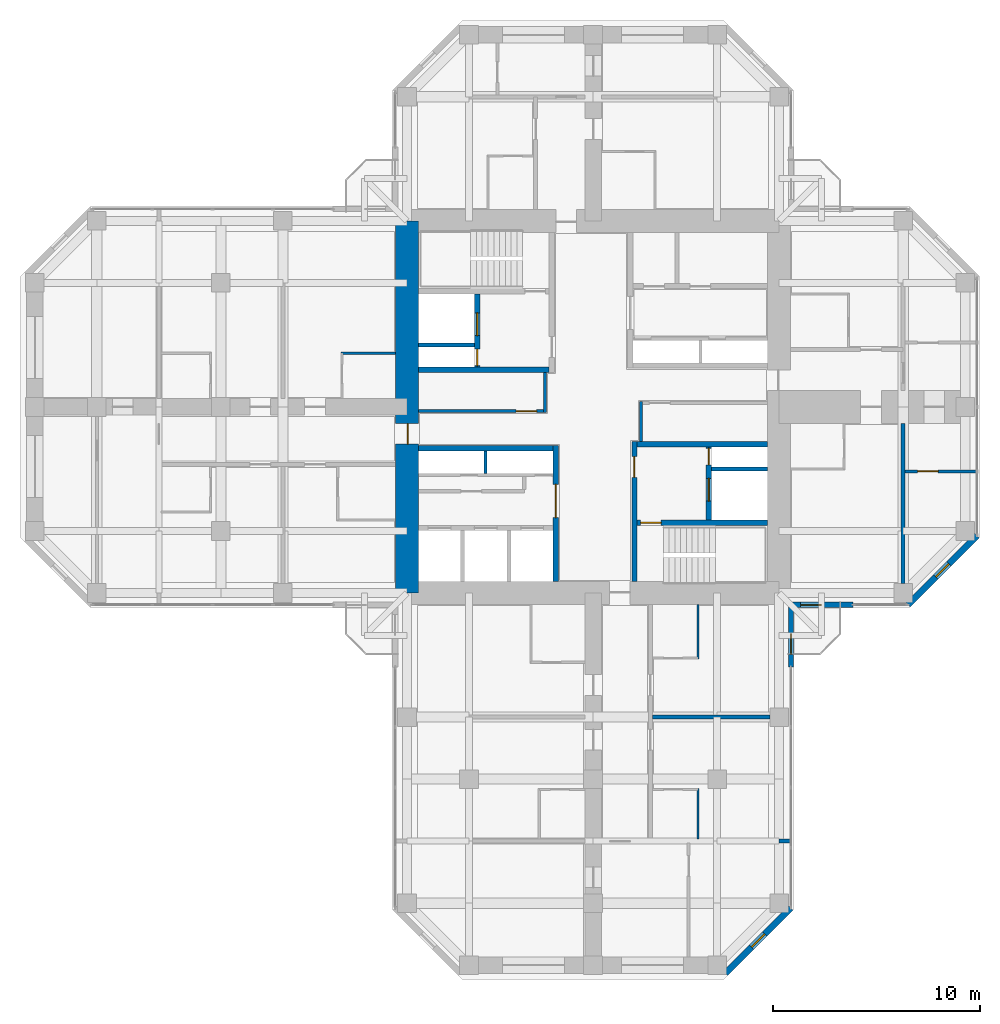
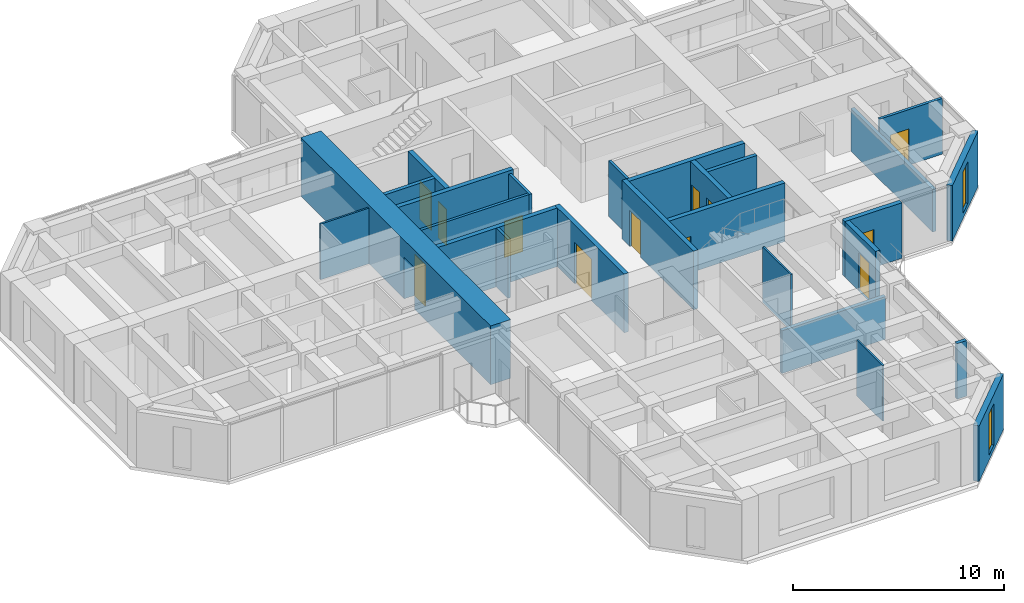
# One storey, part 10 of 14: 26 walls, 12 doors, 2 windows, 14 openings.
"""IFC4 building model written with IfcOpenShell, lengths in metres."""

from ifc_helpers import new_model, si_unit, direction, frame, frame_2d, origin, place, context, subcontext, project, spatial, rectangle, hollow_rectangle, extrude, material, layer, layer_set, constituent, constituent_set, type_object, element, fill, save


model = new_model("IFC4")

# Units and contexts
model_context = context("Model", 3, precision=1e-05, world=origin(), true_north=direction((0.0, 1.0)))
body_context = subcontext(model_context, "Body", "Model", "MODEL_VIEW")
ifc_project = project(units=[si_unit("LENGTHUNIT", "METRE"), si_unit("AREAUNIT", "SQUARE_METRE"), si_unit("VOLUMEUNIT", "CUBIC_METRE"), si_unit("PLANEANGLEUNIT", "RADIAN"), si_unit("MASSUNIT", "GRAM", prefix="KILO")], contexts=[model_context])

# Site, building, storey
site_placement = place(None, origin())
site = spatial("IfcSite", under=ifc_project, at=site_placement, CompositionType="ELEMENT")
building_placement = place(site_placement, origin())
building = spatial("IfcBuilding", under=site, at=building_placement, Name="Torre Cruceta", CompositionType="ELEMENT")
storey_placement = place(building_placement, frame((0.0, 0.0, 176.300048828125)))
storey = spatial("IfcBuildingStorey", under=building, at=storey_placement, Name="L43", CompositionType="ELEMENT", Elevation=176.300048828125)

# Walls
ifc_material_1 = material(Name="Water-resistant plasterboard on steel studs", Category="steel")
ifc_layer_1 = layer(ifc_material_1, 0.10009765625)
ifc_layer_set_1 = layer_set([ifc_layer_1], Name="Water-resistant plasterboard on steel studs")
wall_type_1 = type_object("IfcWallType", Name="BATHROOM WALL 100", PredefinedType="PARTITIONING", material=ifc_layer_set_1)
wall_1_placement = place(storey_placement, frame((5.074951171875, -9.550048828125, 0.0), z_axis=(0.0, 0.0, 1.0), x_axis=(0.0, -1.0, 0.0)))
element("IfcWall", 1, at=wall_1_placement, inside=storey, type_object=wall_type_1, Name="PT4 L43-S-U1LBB", PredefinedType="PARTITIONING", context=body_context, shape_type="SweptSolid", body=[
    extrude(rectangle(XDim=2.64990234375, YDim=0.10009765625, at=frame_2d((1.324951171875, 0.0))), origin(), (0.0, 0.0, 1.0), 3.219970703125),
])
wall_2_placement = place(storey_placement, frame((5.074951171875, -18.449951171875, 0.0), z_axis=(0.0, 0.0, 1.0), x_axis=(0.0, -1.0, 0.0)))
element("IfcWall", 2, at=wall_2_placement, inside=storey, type_object=wall_type_1, Name="PT4 L43-S-U2LBB", PredefinedType="PARTITIONING", context=body_context, shape_type="SweptSolid", body=[
    extrude(rectangle(XDim=2.449951171875, YDim=0.10009765625, at=frame_2d((1.22509765625, 0.0))), origin(), (0.0, 0.0, 1.0), 3.219970703125),
])
wall_3_placement = place(storey_placement, frame((-9.550048828125, 2.60009765625, 0.0), z_axis=(0.0, 0.0, 1.0), x_axis=(-1.0, 0.0, 0.0)))
element("IfcWall", 3, at=wall_3_placement, inside=storey, type_object=wall_type_1, Name="PT4 L43-W-U1RBB", PredefinedType="PARTITIONING", context=body_context, shape_type="SweptSolid", body=[
    extrude(rectangle(XDim=2.64990234375, YDim=0.10009765625, at=frame_2d((1.324951171875, 0.0))), origin(), (0.0, 0.0, 1.0), 3.219970703125),
])
ifc_material_2 = material(Name="Concrete G60 (fck 60 MPa)", Category="concrete")
ifc_layer_2 = layer(ifc_material_2, 0.25)
ifc_layer_set_2 = layer_set([ifc_layer_2], Name="Concrete G60 (fck 60 MPa)")
wall_type_2 = type_object("IfcWallType", Name="CORE INNER WALL 250 G60", PredefinedType="SHEAR", material=ifc_layer_set_2)
wall_4_placement = place(storey_placement, frame((-2.125, 1.800048828125, 0.0), z_axis=(0.0, 0.0, 1.0), x_axis=(-1.0, 0.0, 0.0)))
element("IfcWall", 4, at=wall_4_placement, inside=storey, type_object=wall_type_2, Name="CW4 L43 NW-CV", PredefinedType="SHEAR", context=body_context, shape_type="SweptSolid", body=[
    extrude(rectangle(XDim=6.324951171875, YDim=0.25, at=frame_2d((3.16259765625, 0.0))), origin(), (0.0, 0.0, 1.0), 3.39990234375),
])

# Wall, openings, doors
wall_5_placement = place(storey_placement, frame((-5.60009765625, 1.925048828125, 0.0), z_axis=(0.0, 0.0, 1.0), x_axis=(0.0, 1.0, 0.0)))
wall_5 = element("IfcWall", 5, at=wall_5_placement, inside=storey, type_object=wall_type_2, Name="CW4 L43 NW-FU", PredefinedType="SHEAR", context=body_context, shape_type="SweptSolid", body=[
    extrude(rectangle(XDim=3.550048828125, YDim=0.25, at=frame_2d((1.77490234375, 0.0))), origin(), (0.0, 0.0, 1.0), 3.39990234375),
])
opening_1_placement = place(wall_5_placement, frame((1.52490234375, 0.0, 0.0)))
opening_1 = element("IfcOpeningElement", 6, at=opening_1_placement, cuts=wall_5, Name="Opening LD1", PredefinedType="OPENING", context=body_context, shape_type="SweptSolid", body=[
    extrude(rectangle(XDim=1.10009765625, YDim=2.199951171875, at=frame_2d((0.550048828125, 1.10009765625))), frame((0.0, 0.135009765625, 0.0), z_axis=(0.0, -1.0, 0.0), x_axis=(1.0, 0.0, 0.0)), (0.0, 0.0, 1.0), 0.27001953125),
])
opening_2_placement = place(wall_5_placement, frame((0.074951171875, 0.0, 0.0)))
opening_2 = element("IfcOpeningElement", 7, at=opening_2_placement, cuts=wall_5, Name="Opening D5", PredefinedType="OPENING", context=body_context, shape_type="SweptSolid", body=[
    extrude(rectangle(XDim=0.800048828125, YDim=2.10009765625, at=frame_2d((0.39990234375, 1.050048828125))), frame((0.0, 0.135009765625, 0.0), z_axis=(0.0, -1.0, 0.0), x_axis=(1.0, 0.0, 0.0)), (0.0, 0.0, 1.0), 0.27001953125),
])
ifc_material_3 = material(Name="Stainless steel 1.4401", Category="steel")
door_type_1 = type_object("IfcDoorType", Name="LIFT LANDING DOOR 1100X2200", OperationType="DOUBLE_DOOR_SLIDING", PredefinedType="DOOR", material=ifc_material_3)
door_1_placement = place(opening_1_placement, origin())
door_1 = element("IfcDoor", 8, at=door_1_placement, inside=storey, type_object=door_type_1, Name="Lift landing door FL1", OperationType="DOUBLE_DOOR_SLIDING", OverallHeight=2.199951171875, OverallWidth=1.10009765625, PredefinedType="DOOR", context=body_context, shape_type="SweptSolid", body=[
    extrude(rectangle(XDim=1.10009765625, YDim=2.199951171875, at=frame_2d((0.550048828125, 1.10009765625))), frame((0.0, 0.02490234375, 0.0), z_axis=(0.0, -1.0, 0.0), x_axis=(1.0, 0.0, 0.0)), (0.0, 0.0, 1.0), 0.050048828125),
])
fill(opening_1, door_1)
ifc_material_4 = material(Name="Steel DX51D", Category="steel")
ifc_constituent_1 = constituent(ifc_material_4, Name="Leaf and frame")
ifc_material_5 = material(Name="Polyester powder coating", Category="paint")
ifc_constituent_2 = constituent(ifc_material_5, Name="Finish")
ifc_constituent_set_1 = constituent_set(constituents=[ifc_constituent_1, ifc_constituent_2], Name="Steel fire door")
door_type_2 = type_object("IfcDoorType", Name="RISER ACCESS DOOR 800X2100", OperationType="SINGLE_SWING_LEFT", PredefinedType="DOOR", material=ifc_constituent_set_1)
door_2_placement = place(opening_2_placement, origin())
door_2 = element("IfcDoor", 9, at=door_2_placement, inside=storey, type_object=door_type_2, Name="D5 L43 NW-RISER", OperationType="SINGLE_SWING_LEFT", OverallHeight=2.10009765625, OverallWidth=0.800048828125, PredefinedType="DOOR", context=body_context, shape_type="SweptSolid", body=[
    extrude(rectangle(XDim=0.800048828125, YDim=2.10009765625, at=frame_2d((0.39990234375, 1.050048828125))), frame((0.0, 0.02490234375, 0.0), z_axis=(0.0, -1.0, 0.0), x_axis=(1.0, 0.0, 0.0)), (0.0, 0.0, 1.0), 0.050048828125),
])
fill(opening_2, door_2)

# Wall, opening, door
wall_6_placement = place(storey_placement, frame((-1.800048828125, -1.875, 0.0), z_axis=(0.0, 0.0, 1.0), x_axis=(0.0, -1.0, 0.0)))
wall_6 = element("IfcWall", 10, at=wall_6_placement, inside=storey, type_object=wall_type_2, Name="CW4 L43 SW-CU", PredefinedType="SHEAR", context=body_context, shape_type="SweptSolid", body=[
    extrude(rectangle(XDim=6.574951171875, YDim=0.25, at=frame_2d((3.28759765625, 0.0))), origin(), (0.0, 0.0, 1.0), 3.39990234375),
])
opening_3_placement = place(wall_6_placement, frame((1.875, 0.0, 0.0)))
opening_3 = element("IfcOpeningElement", 11, at=opening_3_placement, cuts=wall_6, Name="Opening D8", PredefinedType="OPENING", context=body_context, shape_type="SweptSolid", body=[
    extrude(rectangle(XDim=1.60009765625, YDim=2.39990234375, at=frame_2d((0.800048828125, 1.199951171875))), frame((0.0, 0.135009765625, 0.0), z_axis=(0.0, -1.0, 0.0), x_axis=(1.0, 0.0, 0.0)), (0.0, 0.0, 1.0), 0.27001953125),
])
ifc_material_6 = material(Name="Steel DX51D", Category="steel")
ifc_constituent_3 = constituent(ifc_material_6, Name="Leaf and frame")
ifc_material_7 = material(Name="Polyester powder coating", Category="paint")
ifc_constituent_4 = constituent(ifc_material_7, Name="Finish")
ifc_material_8 = material(Name="Fire-resisting glass", Category="glass")
ifc_constituent_5 = constituent(ifc_material_8, Name="Vision panel")
ifc_constituent_set_2 = constituent_set(constituents=[ifc_constituent_3, ifc_constituent_4, ifc_constituent_5], Name="Steel fire door with vision panels")
door_type_3 = type_object("IfcDoorType", Name="LIFT LOBBY DOUBLE DOOR 1600X2400", OperationType="DOUBLE_DOOR_DOUBLE_SWING", PredefinedType="DOOR", material=ifc_constituent_set_2)
door_3_placement = place(opening_3_placement, origin())
door_3 = element("IfcDoor", 12, at=door_3_placement, inside=storey, type_object=door_type_3, Name="D8 L43 SW-LOBBY", OperationType="DOUBLE_DOOR_DOUBLE_SWING", OverallHeight=2.39990234375, OverallWidth=1.60009765625, PredefinedType="DOOR", context=body_context, shape_type="SweptSolid", body=[
    extrude(rectangle(XDim=1.60009765625, YDim=2.39990234375, at=frame_2d((0.800048828125, 1.199951171875))), frame((0.0, 0.02490234375, 0.0), z_axis=(0.0, -1.0, 0.0), x_axis=(1.0, 0.0, 0.0)), (0.0, 0.0, 1.0), 0.050048828125),
])
fill(opening_3, door_3)

# Wall
wall_7_placement = place(storey_placement, frame((-1.925048828125, -2.0, 0.0), z_axis=(0.0, 0.0, 1.0), x_axis=(-1.0, 0.0, 0.0)))
element("IfcWall", 13, at=wall_7_placement, inside=storey, type_object=wall_type_2, Name="CW4 L43 SW-CV", PredefinedType="SHEAR", context=body_context, shape_type="SweptSolid", body=[
    extrude(rectangle(XDim=6.52490234375, YDim=0.25, at=frame_2d((3.262451171875, 0.0))), origin(), (0.0, 0.0, 1.0), 3.39990234375),
])

# Wall, opening, door
wall_8_placement = place(storey_placement, frame((2.0, -1.675048828125, 0.0), z_axis=(0.0, 0.0, 1.0), x_axis=(0.0, -1.0, 0.0)))
wall_8 = element("IfcWall", 14, at=wall_8_placement, inside=storey, type_object=wall_type_2, Name="CW4 L43 SE-CU", PredefinedType="SHEAR", context=body_context, shape_type="SweptSolid", body=[
    extrude(rectangle(XDim=6.77490234375, YDim=0.25, at=frame_2d((3.387451171875, 0.0))), origin(), (0.0, 0.0, 1.0), 3.39990234375),
])
opening_4_placement = place(wall_8_placement, frame((0.72509765625, 0.0, 0.0)))
opening_4 = element("IfcOpeningElement", 15, at=opening_4_placement, cuts=wall_8, Name="Opening D3", PredefinedType="OPENING", context=body_context, shape_type="SweptSolid", body=[
    extrude(rectangle(XDim=1.0, YDim=2.10009765625, at=frame_2d((0.5, 1.050048828125))), frame((0.0, 0.135009765625, 0.0), z_axis=(0.0, -1.0, 0.0), x_axis=(1.0, 0.0, 0.0)), (0.0, 0.0, 1.0), 0.27001953125),
])
ifc_material_9 = material(Name="Steel DX51D", Category="steel")
ifc_constituent_6 = constituent(ifc_material_9, Name="Leaf and frame")
ifc_material_10 = material(Name="Polyester powder coating", Category="paint")
ifc_constituent_7 = constituent(ifc_material_10, Name="Finish")
ifc_constituent_set_3 = constituent_set(constituents=[ifc_constituent_6, ifc_constituent_7], Name="Steel fire door")
door_type_4 = type_object("IfcDoorType", Name="FIRE DOOR 1000X2100", OperationType="SINGLE_SWING_LEFT", PredefinedType="DOOR", material=ifc_constituent_set_3)
door_4_placement = place(opening_4_placement, origin())
door_4 = element("IfcDoor", 16, at=door_4_placement, inside=storey, type_object=door_type_4, Name="D3 L43 SE-LOBBY", OperationType="SINGLE_SWING_LEFT", OverallHeight=2.10009765625, OverallWidth=1.0, PredefinedType="DOOR", context=body_context, shape_type="SweptSolid", body=[
    extrude(rectangle(XDim=1.0, YDim=2.10009765625, at=frame_2d((0.5, 1.050048828125))), frame((0.0, 0.02490234375, 0.0), z_axis=(0.0, -1.0, 0.0), x_axis=(1.0, 0.0, 0.0)), (0.0, 0.0, 1.0), 0.050048828125),
])
fill(opening_4, door_4)

# Wall
wall_9_placement = place(storey_placement, frame((2.125, -1.800048828125, 0.0), z_axis=(0.0, 0.0, 1.0), x_axis=(1.0, 0.0, 0.0)))
element("IfcWall", 17, at=wall_9_placement, inside=storey, type_object=wall_type_2, Name="CW4 L43 SE-CV", PredefinedType="SHEAR", context=body_context, shape_type="SweptSolid", body=[
    extrude(rectangle(XDim=6.324951171875, YDim=0.25, at=frame_2d((3.16259765625, 0.0))), origin(), (0.0, 0.0, 1.0), 3.39990234375),
])

# Wall, opening, door
wall_10_placement = place(storey_placement, frame((2.125, -5.60009765625, 0.0), z_axis=(0.0, 0.0, 1.0), x_axis=(1.0, 0.0, 0.0)))
wall_10 = element("IfcWall", 18, at=wall_10_placement, inside=storey, type_object=wall_type_2, Name="CW4 L43 SE-SV", PredefinedType="SHEAR", context=body_context, shape_type="SweptSolid", body=[
    extrude(rectangle(XDim=6.324951171875, YDim=0.25, at=frame_2d((3.16259765625, 0.0))), origin(), (0.0, 0.0, 1.0), 3.39990234375),
])
opening_5_placement = place(wall_10_placement, frame((0.175048828125, 0.0, 0.0)))
opening_5 = element("IfcOpeningElement", 19, at=opening_5_placement, cuts=wall_10, Name="Opening D3", PredefinedType="OPENING", context=body_context, shape_type="SweptSolid", body=[
    extrude(rectangle(XDim=1.0, YDim=2.10009765625, at=frame_2d((0.5, 1.050048828125))), frame((0.0, 0.135009765625, 0.0), z_axis=(0.0, -1.0, 0.0), x_axis=(1.0, 0.0, 0.0)), (0.0, 0.0, 1.0), 0.27001953125),
])
door_5_placement = place(opening_5_placement, frame((1.0, 0.0, 0.0), z_axis=(0.0, 0.0, 1.0), x_axis=(-1.0, 0.0, 0.0)))
door_5 = element("IfcDoor", 20, at=door_5_placement, inside=storey, type_object=door_type_4, Name="D3 L43 SE-STAIR", OperationType="SINGLE_SWING_RIGHT", OverallHeight=2.10009765625, OverallWidth=1.0, PredefinedType="DOOR", context=body_context, shape_type="SweptSolid", body=[
    extrude(rectangle(XDim=1.0, YDim=2.10009765625, at=frame_2d((0.5, 1.050048828125))), frame((0.0, 0.025146484375, 0.0), z_axis=(0.0, -1.0, 0.0), x_axis=(1.0, 0.0, 0.0)), (0.0, 0.0, 1.0), 0.050048828125),
])
fill(opening_5, door_5)

# Wall, openings, doors
wall_11_placement = place(storey_placement, frame((5.60009765625, -1.925048828125, 0.0), z_axis=(0.0, 0.0, 1.0), x_axis=(0.0, -1.0, 0.0)))
wall_11 = element("IfcWall", 21, at=wall_11_placement, inside=storey, type_object=wall_type_2, Name="CW4 L43 SE-FU", PredefinedType="SHEAR", context=body_context, shape_type="SweptSolid", body=[
    extrude(rectangle(XDim=3.550048828125, YDim=0.25, at=frame_2d((1.77490234375, 0.0))), origin(), (0.0, 0.0, 1.0), 3.39990234375),
])
opening_6_placement = place(wall_11_placement, frame((1.52490234375, 0.0, 0.0)))
opening_6 = element("IfcOpeningElement", 22, at=opening_6_placement, cuts=wall_11, Name="Opening LD1", PredefinedType="OPENING", context=body_context, shape_type="SweptSolid", body=[
    extrude(rectangle(XDim=1.10009765625, YDim=2.199951171875, at=frame_2d((0.550048828125, 1.10009765625))), frame((0.0, 0.135009765625, 0.0), z_axis=(0.0, -1.0, 0.0), x_axis=(1.0, 0.0, 0.0)), (0.0, 0.0, 1.0), 0.27001953125),
])
opening_7_placement = place(wall_11_placement, frame((0.074951171875, 0.0, 0.0)))
opening_7 = element("IfcOpeningElement", 23, at=opening_7_placement, cuts=wall_11, Name="Opening D5", PredefinedType="OPENING", context=body_context, shape_type="SweptSolid", body=[
    extrude(rectangle(XDim=0.800048828125, YDim=2.10009765625, at=frame_2d((0.39990234375, 1.050048828125))), frame((0.0, 0.135009765625, 0.0), z_axis=(0.0, -1.0, 0.0), x_axis=(1.0, 0.0, 0.0)), (0.0, 0.0, 1.0), 0.27001953125),
])
door_6_placement = place(opening_6_placement, origin())
door_6 = element("IfcDoor", 24, at=door_6_placement, inside=storey, type_object=door_type_1, Name="Lift landing door FL2", OperationType="DOUBLE_DOOR_SLIDING", OverallHeight=2.199951171875, OverallWidth=1.10009765625, PredefinedType="DOOR", context=body_context, shape_type="SweptSolid", body=[
    extrude(rectangle(XDim=1.10009765625, YDim=2.199951171875, at=frame_2d((0.550048828125, 1.10009765625))), frame((0.0, 0.02490234375, 0.0), z_axis=(0.0, -1.0, 0.0), x_axis=(1.0, 0.0, 0.0)), (0.0, 0.0, 1.0), 0.050048828125),
])
fill(opening_6, door_6)
door_7_placement = place(opening_7_placement, origin())
door_7 = element("IfcDoor", 25, at=door_7_placement, inside=storey, type_object=door_type_2, Name="D5 L43 SE-RISER", OperationType="SINGLE_SWING_LEFT", OverallHeight=2.10009765625, OverallWidth=0.800048828125, PredefinedType="DOOR", context=body_context, shape_type="SweptSolid", body=[
    extrude(rectangle(XDim=0.800048828125, YDim=2.10009765625, at=frame_2d((0.39990234375, 1.050048828125))), frame((0.0, 0.02490234375, 0.0), z_axis=(0.0, -1.0, 0.0), x_axis=(1.0, 0.0, 0.0)), (0.0, 0.0, 1.0), 0.050048828125),
])
fill(opening_7, door_7)

# Wall, opening, door
ifc_material_11 = material(Name="Concrete G60 (fck 60 MPa)", Category="concrete")
ifc_layer_3 = layer(ifc_material_11, 1.10009765625)
ifc_layer_set_3 = layer_set([ifc_layer_3], Name="Concrete G60 (fck 60 MPa)")
wall_type_3 = type_object("IfcWallType", Name="CORE WALL 1100 G60", PredefinedType="SHEAR", material=ifc_layer_set_3)
wall_12_placement = place(storey_placement, frame((-9.0, 9.0, 0.0), z_axis=(0.0, 0.0, 1.0), x_axis=(0.0, -1.0, 0.0)))
wall_12 = element("IfcWall", 26, at=wall_12_placement, inside=storey, type_object=wall_type_3, Name="CW2 L43 CW-W", PredefinedType="SHEAR", context=body_context, shape_type="SweptSolid", body=[
    extrude(rectangle(XDim=18.0, YDim=1.10009765625, at=frame_2d((9.0, 0.0))), origin(), (0.0, 0.0, 1.0), 3.39990234375),
])
opening_8_placement = place(wall_12_placement, frame((9.800048828125, 0.0, 0.0)))
opening_8 = element("IfcOpeningElement", 27, at=opening_8_placement, cuts=wall_12, Name="Opening D4", PredefinedType="OPENING", context=body_context, shape_type="SweptSolid", body=[
    extrude(rectangle(XDim=1.0, YDim=2.39990234375, at=frame_2d((0.5, 1.199951171875))), frame((0.0, 0.56005859375, 0.0), z_axis=(0.0, -1.0, 0.0), x_axis=(1.0, 0.0, 0.0)), (0.0, 0.0, 1.0), 1.1201171875),
])
ifc_material_12 = material(Name="Steel DX51D", Category="steel")
ifc_constituent_8 = constituent(ifc_material_12, Name="Leaf and frame")
ifc_material_13 = material(Name="Polyester powder coating", Category="paint")
ifc_constituent_9 = constituent(ifc_material_13, Name="Finish")
ifc_constituent_set_4 = constituent_set(constituents=[ifc_constituent_8, ifc_constituent_9], Name="Steel fire door")
door_type_5 = type_object("IfcDoorType", Name="CORE ARM DOOR 1000X2400", OperationType="SINGLE_SWING_RIGHT", PredefinedType="DOOR", material=ifc_constituent_set_4)
door_8_placement = place(opening_8_placement, origin())
door_8 = element("IfcDoor", 28, at=door_8_placement, inside=storey, type_object=door_type_5, Name="D4 L43 CW-W", OperationType="SINGLE_SWING_RIGHT", OverallHeight=2.39990234375, OverallWidth=1.0, PredefinedType="DOOR", context=body_context, shape_type="SweptSolid", body=[
    extrude(rectangle(XDim=1.0, YDim=2.39990234375, at=frame_2d((0.5, 1.199951171875))), frame((0.0, 0.05517578125, 0.0), z_axis=(0.0, -1.0, 0.0), x_axis=(1.0, 0.0, 0.0)), (0.0, 0.0, 1.0), 0.050048828125),
])
fill(opening_8, door_8)

# Wall, opening, window
ifc_material_14 = material(Name="Concrete G30 (fck 30 MPa)", Category="concrete")
ifc_layer_4 = layer(ifc_material_14, 0.300048828125)
ifc_layer_set_4 = layer_set([ifc_layer_4], Name="Concrete G30 (fck 30 MPa)")
wall_type_4 = type_object("IfcWallType", Name="EXPOSED CONCRETE FACADE WALL 300", PredefinedType="SOLIDWALL", material=ifc_layer_set_4)
wall_13_placement = place(storey_placement, frame((15.236083984375, -9.570068359375, 0.0), z_axis=(0.0, 0.0, 1.0), x_axis=(0.707106781187, 0.707106781187, 0.0)))
wall_13 = element("IfcWall", 29, at=wall_13_placement, inside=storey, type_object=wall_type_4, Name="EW1 facade wall L43 E chamfer 01", PredefinedType="SOLIDWALL", context=body_context, shape_type="SweptSolid", body=[
    extrude(rectangle(XDim=4.715087890625, YDim=0.300048828125, at=frame_2d((2.357421875, 0.0))), origin(), (0.0, 0.0, 1.0), 3.219970703125),
])
opening_9_placement = place(wall_13_placement, frame((1.907470703125, 0.0, 0.300048828125)))
opening_9 = element("IfcOpeningElement", 30, at=opening_9_placement, cuts=wall_13, Name="Opening WN5", PredefinedType="OPENING", context=body_context, shape_type="SweptSolid", body=[
    extrude(rectangle(XDim=0.89990234375, YDim=2.39990234375, at=frame_2d((0.449951171875, 1.199951171875))), frame((0.0, 0.159912109375, 0.0), z_axis=(0.0, -1.0, 0.0), x_axis=(1.0, 0.0, 0.0)), (0.0, 0.0, 1.0), 0.320068359375),
])
ifc_material_15 = material(Name="Aluminium window frame", Category="aluminium")
ifc_constituent_10 = constituent(ifc_material_15, Name="Frame")
ifc_material_16 = material(Name="Laminated insulating glass unit, low-iron clear", Category="glass")
ifc_constituent_11 = constituent(ifc_material_16, Name="Glazing")
ifc_constituent_set_5 = constituent_set(constituents=[ifc_constituent_10, ifc_constituent_11], Name="Aluminium window")
window_type = type_object("IfcWindowType", Name="CHAMFER SLOT WINDOW 900X2400", PartitioningType="SINGLE_PANEL", PredefinedType="WINDOW", material=ifc_constituent_set_5)
window_1_placement = place(opening_9_placement, origin())
window_1 = element("IfcWindow", 31, at=window_1_placement, inside=storey, type_object=window_type, Name="WN5 L43 E 1", OverallHeight=2.39990234375, OverallWidth=0.89990234375, PartitioningType="SINGLE_PANEL", PredefinedType="WINDOW", context=body_context, shape_type="SweptSolid", body=[
    extrude(hollow_rectangle(XDim=0.89990234375, YDim=2.39990234375, WallThickness=0.06005859375, at=frame_2d((0.449951171875, 1.199951171875))), frame((0.0, 0.030029296875, 0.0), z_axis=(0.0, -1.0, 0.0), x_axis=(1.0, 0.0, 0.0)), (0.0, 0.0, 1.0), 0.06005859375),
    extrude(rectangle(XDim=0.77880859375, YDim=2.27880859375, at=frame_2d((0.449951171875, 1.199951171875))), frame((0.0, 0.030029296875, 0.0), z_axis=(0.0, -1.0, 0.0), x_axis=(1.0, 0.0, 0.0)), (0.0, 0.0, 1.0), 0.06005859375),
])
fill(opening_9, window_1)

wall_14_placement = place(storey_placement, frame((6.406005859375, -27.39990234375, 0.0), z_axis=(0.0, 0.0, 1.0), x_axis=(0.707134062067, 0.707079499254, 0.0)))
wall_14 = element("IfcWall", 32, at=wall_14_placement, inside=storey, type_object=wall_type_4, Name="EW1 facade wall L43 S chamfer 18", PredefinedType="SOLIDWALL", context=body_context, shape_type="SweptSolid", body=[
    extrude(rectangle(XDim=4.474609375, YDim=0.300048828125, at=frame_2d((2.2373046875, 0.0))), origin(), (0.0, 0.0, 1.0), 3.219970703125),
])
opening_10_placement = place(wall_14_placement, frame((1.787109375, 0.0, 0.300048828125)))
opening_10 = element("IfcOpeningElement", 33, at=opening_10_placement, cuts=wall_14, Name="Opening WN5", PredefinedType="OPENING", context=body_context, shape_type="SweptSolid", body=[
    extrude(rectangle(XDim=0.89990234375, YDim=2.39990234375, at=frame_2d((0.449951171875, 1.199951171875))), frame((0.0, 0.159912109375, 0.0), z_axis=(0.0, -1.0, 0.0), x_axis=(1.0, 0.0, 0.0)), (0.0, 0.0, 1.0), 0.320068359375),
])
window_2_placement = place(opening_10_placement, origin())
window_2 = element("IfcWindow", 34, at=window_2_placement, inside=storey, type_object=window_type, Name="WN5 L43 S 1", OverallHeight=2.39990234375, OverallWidth=0.89990234375, PartitioningType="SINGLE_PANEL", PredefinedType="WINDOW", context=body_context, shape_type="SweptSolid", body=[
    extrude(hollow_rectangle(XDim=0.89990234375, YDim=2.39990234375, WallThickness=0.06005859375, at=frame_2d((0.449951171875, 1.199951171875))), frame((0.0, 0.030029296875, 0.0), z_axis=(0.0, -1.0, 0.0), x_axis=(1.0, 0.0, 0.0)), (0.0, 0.0, 1.0), 0.06005859375),
    extrude(rectangle(XDim=0.77880859375, YDim=2.27880859375, at=frame_2d((0.449951171875, 1.199951171875))), frame((0.0, 0.030029296875, 0.0), z_axis=(0.0, -1.0, 0.0), x_axis=(1.0, 0.0, 0.0)), (0.0, 0.0, 1.0), 0.06005859375),
])
fill(opening_10, window_2)

# Walls
ifc_material_17 = material(Name="Concrete G35 (fck 35 MPa)", Category="concrete")
ifc_layer_5 = layer(ifc_material_17, 0.199951171875)
ifc_layer_set_5 = layer_set([ifc_layer_5], Name="Concrete G35 (fck 35 MPa)")
wall_type_5 = type_object("IfcWallType", Name="LIFT SHAFT WALL 200", PredefinedType="PARTITIONING", material=ifc_layer_set_5)
for number, where, z_axis, x_axis, name in (
    (35, (-5.72509765625, 3.0, 0.0), (0.0, 0.0, 1.0), (-1.0, 0.0, 0.0), "SW1 L43 NW-FR"),
    (36, (5.72509765625, -3.0, 0.0), (0.0, 0.0, 1.0), (1.0, 0.0, 0.0), "SW1 L43 SE-FR"),
):
    element("IfcWall", number, at=place(storey_placement, frame(where, z_axis=z_axis, x_axis=x_axis)), inside=storey, type_object=wall_type_5, Name=name, PredefinedType="PARTITIONING", context=body_context, shape_type="SweptSolid", body=[
        extrude(rectangle(XDim=2.724853515625, YDim=0.199951171875, at=frame_2d((1.3623046875, 0.0))), origin(), (0.0, 0.0, 1.0), 3.39990234375),
    ])
ifc_material_18 = material(Name="Plasterboard on steel studs", Category="steel")
ifc_layer_6 = layer(ifc_material_18, 0.14990234375)
ifc_layer_set_6 = layer_set([ifc_layer_6], Name="Plasterboard on steel studs")
wall_type_6 = type_object("IfcWallType", Name="PARTITION 150", PredefinedType="PARTITIONING", material=ifc_layer_set_6)
wall_15_placement = place(storey_placement, frame((2.324951171875, -1.675048828125, 0.0), z_axis=(0.0, 0.0, 1.0), x_axis=(0.0, 1.0, 0.0)))
element("IfcWall", 37, at=wall_15_placement, inside=storey, type_object=wall_type_6, Name="PT1 L43-CORE-LEGE-S-W2", PredefinedType="PARTITIONING", context=body_context, shape_type="SweptSolid", body=[
    extrude(rectangle(XDim=1.949951171875, YDim=0.14990234375, at=frame_2d((0.97509765625, 0.0))), origin(), (0.0, 0.0, 1.0), 3.219970703125),
])

# Wall, opening, door
wall_16_placement = place(storey_placement, frame((-2.324951171875, -0.199951171875, 0.0), z_axis=(0.0, 0.0, 1.0), x_axis=(-1.0, 0.0, 0.0)))
wall_16 = element("IfcWall", 38, at=wall_16_placement, inside=storey, type_object=wall_type_6, Name="PT1 L43-CORE-LEGW-N-W1", PredefinedType="PARTITIONING", context=body_context, shape_type="SweptSolid", body=[
    extrude(rectangle(XDim=6.125, YDim=0.14990234375, at=frame_2d((3.0625, 0.0))), origin(), (0.0, 0.0, 1.0), 3.219970703125),
])
opening_11_placement = place(wall_16_placement, frame((0.39990234375, 0.0, 0.0)))
opening_11 = element("IfcOpeningElement", 39, at=opening_11_placement, cuts=wall_16, Name="Opening D3", PredefinedType="OPENING", context=body_context, shape_type="SweptSolid", body=[
    extrude(rectangle(XDim=1.0, YDim=2.10009765625, at=frame_2d((0.5, 1.050048828125))), frame((0.0, 0.0849609375, 0.0), z_axis=(0.0, -1.0, 0.0), x_axis=(1.0, 0.0, 0.0)), (0.0, 0.0, 1.0), 0.169921875),
])
door_9_placement = place(opening_11_placement, frame((1.0, 0.0, 0.0), z_axis=(0.0, 0.0, 1.0), x_axis=(-1.0, 0.0, 0.0)))
door_9 = element("IfcDoor", 40, at=door_9_placement, inside=storey, type_object=door_type_4, Name="D3 L43-CORE-LEGW-N-W1-D1", OperationType="SINGLE_SWING_RIGHT", OverallHeight=2.10009765625, OverallWidth=1.0, PredefinedType="DOOR", context=body_context, shape_type="SweptSolid", body=[
    extrude(rectangle(XDim=1.0, YDim=2.10009765625, at=frame_2d((0.5, 1.050048828125))), frame((0.0, 0.025146484375, 0.0), z_axis=(0.0, -1.0, 0.0), x_axis=(1.0, 0.0, 0.0)), (0.0, 0.0, 1.0), 0.050048828125),
])
fill(opening_11, door_9)

# Wall
wall_17_placement = place(storey_placement, frame((-2.324951171875, 1.675048828125, 0.0), z_axis=(0.0, 0.0, 1.0), x_axis=(0.0, -1.0, 0.0)))
element("IfcWall", 41, at=wall_17_placement, inside=storey, type_object=wall_type_6, Name="PT1 L43-CORE-LEGW-N-W2", PredefinedType="PARTITIONING", context=body_context, shape_type="SweptSolid", body=[
    extrude(rectangle(XDim=1.949951171875, YDim=0.14990234375, at=frame_2d((0.97509765625, 0.0))), origin(), (0.0, 0.0, 1.0), 3.219970703125),
])

# Wall, opening, door
wall_18_placement = place(storey_placement, frame((15.10009765625, -3.117919921875, 0.0), z_axis=(0.0, 0.0, 1.0), x_axis=(1.0, 0.0, 0.0)))
wall_18 = element("IfcWall", 42, at=wall_18_placement, inside=storey, type_object=wall_type_6, Name="PT1 L43-E-END2X", PredefinedType="PARTITIONING", context=body_context, shape_type="SweptSolid", body=[
    extrude(rectangle(XDim=3.429931640625, YDim=0.14990234375, at=frame_2d((1.71484375, 0.0))), origin(), (0.0, 0.0, 1.0), 3.219970703125),
])
opening_12_placement = place(wall_18_placement, frame((0.60009765625, 0.0, 0.0)))
opening_12 = element("IfcOpeningElement", 43, at=opening_12_placement, cuts=wall_18, Name="Opening D3", PredefinedType="OPENING", context=body_context, shape_type="SweptSolid", body=[
    extrude(rectangle(XDim=1.0, YDim=2.10009765625, at=frame_2d((0.5, 1.050048828125))), frame((0.0, 0.0849609375, 0.0), z_axis=(0.0, -1.0, 0.0), x_axis=(1.0, 0.0, 0.0)), (0.0, 0.0, 1.0), 0.169921875),
])
door_10_placement = place(opening_12_placement, origin())
door_10 = element("IfcDoor", 44, at=door_10_placement, inside=storey, type_object=door_type_4, Name="D3 L43-E-END2X-D1", OperationType="SINGLE_SWING_LEFT", OverallHeight=2.10009765625, OverallWidth=1.0, PredefinedType="DOOR", context=body_context, shape_type="SweptSolid", body=[
    extrude(rectangle(XDim=1.0, YDim=2.10009765625, at=frame_2d((0.5, 1.050048828125))), frame((0.0, 0.02490234375, 0.0), z_axis=(0.0, -1.0, 0.0), x_axis=(1.0, 0.0, 0.0)), (0.0, 0.0, 1.0), 0.050048828125),
])
fill(opening_12, door_10)

# Walls
ifc_material_19 = material(Name="Concrete block masonry", Category="masonry")
ifc_layer_7 = layer(ifc_material_19, 0.14990234375)
ifc_layer_set_7 = layer_set([ifc_layer_7], Name="Concrete block masonry")
wall_type_7 = type_object("IfcWallType", Name="RISER WALL 150", PredefinedType="PARTITIONING", material=ifc_layer_set_7)
wall_19_placement = place(storey_placement, frame((-5.199951171875, -2.125, 0.0), z_axis=(0.0, 0.0, 1.0), x_axis=(0.0, -1.0, 0.0)))
element("IfcWall", 45, at=wall_19_placement, inside=storey, type_object=wall_type_7, Name="SW7 L43 SW-RU", PredefinedType="PARTITIONING", context=body_context, shape_type="SweptSolid", body=[
    extrude(rectangle(XDim=1.10009765625, YDim=0.14990234375, at=frame_2d((0.550048828125, 0.0))), origin(), (0.0, 0.0, 1.0), 3.39990234375),
])
ifc_material_20 = material(Name="Concrete G25 (fck 25 MPa)", Category="concrete")
ifc_layer_8 = layer(ifc_material_20, 0.199951171875)
ifc_layer_set_8 = layer_set([ifc_layer_8], Name="Concrete G25 (fck 25 MPa)")
wall_type_8 = type_object("IfcWallType", Name="UNIT SEPARATING WALL 200", PredefinedType="SOLIDWALL", material=ifc_layer_set_8)
wall_20_placement = place(storey_placement, frame((15.0, -8.550048828125, 0.0), z_axis=(0.0, 0.0, 1.0), x_axis=(0.0, 1.0, 0.0)))
element("IfcWall", 46, at=wall_20_placement, inside=storey, type_object=wall_type_8, Name="PT2 L43-E-ENDa", PredefinedType="SOLIDWALL", context=body_context, shape_type="SweptSolid", body=[
    extrude(rectangle(XDim=7.75, YDim=0.199951171875, at=frame_2d((3.875, 0.0))), origin(), (0.0, 0.0, 1.0), 2.469970703125),
])
wall_21_placement = place(storey_placement, frame((2.875, -15.0, 0.0), z_axis=(0.0, 0.0, 1.0), x_axis=(1.0, 0.0, 0.0)))
element("IfcWall", 47, at=wall_21_placement, inside=storey, type_object=wall_type_8, Name="PT2 L43-S-P1L", PredefinedType="SOLIDWALL", context=body_context, shape_type="SweptSolid", body=[
    extrude(rectangle(XDim=5.675048828125, YDim=0.199951171875, at=frame_2d((2.83740234375, 0.0))), origin(), (0.0, 0.0, 1.0), 2.469970703125),
])
wall_22_placement = place(storey_placement, frame((9.0, -21.0, 0.0), z_axis=(0.0, 0.0, 1.0), x_axis=(1.0, 0.0, 0.0)))
element("IfcWall", 48, at=wall_22_placement, inside=storey, type_object=wall_type_8, Name="PT2 L43-S-ENDb 2", PredefinedType="SOLIDWALL", context=body_context, shape_type="SweptSolid", body=[
    extrude(rectangle(XDim=0.530029296875, YDim=0.199951171875, at=frame_2d((0.26513671875, 0.0))), origin(), (0.0, 0.0, 1.0), 3.219970703125),
])

# Wall, opening, door
ifc_material_21 = material(Name="Concrete G30 (fck 30 MPa)", Category="concrete")
ifc_layer_9 = layer(ifc_material_21, 0.25)
ifc_layer_set_9 = layer_set([ifc_layer_9], Name="Concrete G30 (fck 30 MPa)")
wall_type_9 = type_object("IfcWallType", Name="WINTER GARDEN WALL 250", PredefinedType="SOLIDWALL", material=ifc_layer_set_9)
wall_23_placement = place(storey_placement, frame((9.445068359375, -9.570068359375, 0.0), z_axis=(0.0, 0.0, 1.0), x_axis=(1.0, 0.0, 0.0)))
wall_23 = element("IfcWall", 49, at=wall_23_placement, inside=storey, type_object=wall_type_9, Name="EW2 winter garden wall L43 00", PredefinedType="SOLIDWALL", context=body_context, shape_type="SweptSolid", body=[
    extrude(rectangle(XDim=3.125, YDim=0.25, at=frame_2d((1.5625, 0.0))), origin(), (0.0, 0.0, 1.0), 3.219970703125),
])
opening_13_placement = place(wall_23_placement, frame((0.60009765625, 0.0, 0.0)))
opening_13 = element("IfcOpeningElement", 50, at=opening_13_placement, cuts=wall_23, Name="Opening D10", PredefinedType="OPENING", context=body_context, shape_type="SweptSolid", body=[
    extrude(rectangle(XDim=1.0, YDim=2.199951171875, at=frame_2d((0.5, 1.10009765625))), frame((0.0, 0.135009765625, 0.0), z_axis=(0.0, -1.0, 0.0), x_axis=(1.0, 0.0, 0.0)), (0.0, 0.0, 1.0), 0.27001953125),
])
ifc_material_22 = material(Name="Aluminium door frame", Category="aluminium")
ifc_constituent_12 = constituent(ifc_material_22, Name="Frame")
ifc_material_23 = material(Name="Laminated safety glass", Category="glass")
ifc_constituent_13 = constituent(ifc_material_23, Name="Glazing")
ifc_constituent_set_6 = constituent_set(constituents=[ifc_constituent_12, ifc_constituent_13], Name="Aluminium glazed door")
door_type_6 = type_object("IfcDoorType", Name="BALCONY DOOR 1000X2200", OperationType="SINGLE_SWING_RIGHT", PredefinedType="DOOR", material=ifc_constituent_set_6)
door_11_placement = place(opening_13_placement, origin())
door_11 = element("IfcDoor", 51, at=door_11_placement, inside=storey, type_object=door_type_6, Name="D10 balcony door L43 00", OperationType="SINGLE_SWING_LEFT", OverallHeight=2.199951171875, OverallWidth=1.0, PredefinedType="DOOR", context=body_context, shape_type="SweptSolid", body=[
    extrude(hollow_rectangle(XDim=1.0, YDim=2.199951171875, WallThickness=0.06005859375, at=frame_2d((0.5, 1.10009765625))), frame((0.0, 0.02490234375, 0.0), z_axis=(0.0, -1.0, 0.0), x_axis=(1.0, 0.0, 0.0)), (0.0, 0.0, 1.0), 0.050048828125),
    extrude(rectangle(XDim=0.87890625, YDim=2.078857421875, at=frame_2d((0.5, 1.10009765625))), frame((0.0, 0.02490234375, 0.0), z_axis=(0.0, -1.0, 0.0), x_axis=(1.0, 0.0, 0.0)), (0.0, 0.0, 1.0), 0.050048828125),
])
fill(opening_13, door_11)

wall_24_placement = place(storey_placement, frame((9.570068359375, -12.570068359375, 0.0), z_axis=(0.0, 0.0, 1.0), x_axis=(0.0, 1.0, 0.0)))
wall_24 = element("IfcWall", 52, at=wall_24_placement, inside=storey, type_object=wall_type_9, Name="EW2 winter garden wall L43 19", PredefinedType="SOLIDWALL", context=body_context, shape_type="SweptSolid", body=[
    extrude(rectangle(XDim=2.875, YDim=0.25, at=frame_2d((1.4375, 0.0))), origin(), (0.0, 0.0, 1.0), 3.219970703125),
])
opening_14_placement = place(wall_24_placement, frame((0.60009765625, 0.0, 0.0)))
opening_14 = element("IfcOpeningElement", 53, at=opening_14_placement, cuts=wall_24, Name="Opening D10", PredefinedType="OPENING", context=body_context, shape_type="SweptSolid", body=[
    extrude(rectangle(XDim=1.0, YDim=2.199951171875, at=frame_2d((0.5, 1.10009765625))), frame((0.0, 0.135009765625, 0.0), z_axis=(0.0, -1.0, 0.0), x_axis=(1.0, 0.0, 0.0)), (0.0, 0.0, 1.0), 0.27001953125),
])
door_12_placement = place(opening_14_placement, origin())
door_12 = element("IfcDoor", 54, at=door_12_placement, inside=storey, type_object=door_type_6, Name="D10 balcony door L43 19", OperationType="SINGLE_SWING_RIGHT", OverallHeight=2.199951171875, OverallWidth=1.0, PredefinedType="DOOR", context=body_context, shape_type="SweptSolid", body=[
    extrude(hollow_rectangle(XDim=1.0, YDim=2.199951171875, WallThickness=0.06005859375, at=frame_2d((0.5, 1.10009765625))), frame((0.0, 0.02490234375, 0.0), z_axis=(0.0, -1.0, 0.0), x_axis=(1.0, 0.0, 0.0)), (0.0, 0.0, 1.0), 0.050048828125),
    extrude(rectangle(XDim=0.87890625, YDim=2.078857421875, at=frame_2d((0.5, 1.10009765625))), frame((0.0, 0.02490234375, 0.0), z_axis=(0.0, -1.0, 0.0), x_axis=(1.0, 0.0, 0.0)), (0.0, 0.0, 1.0), 0.050048828125),
])
fill(opening_14, door_12)

save(model, "model.ifc")
